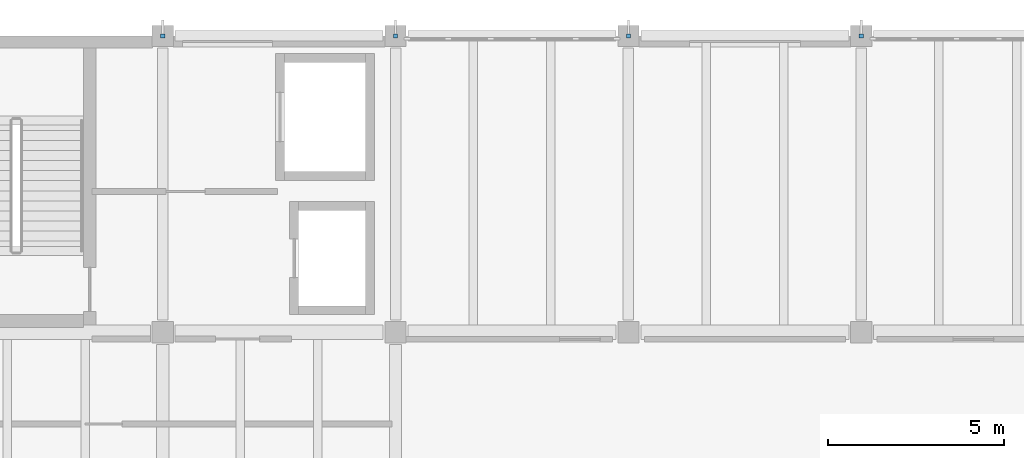
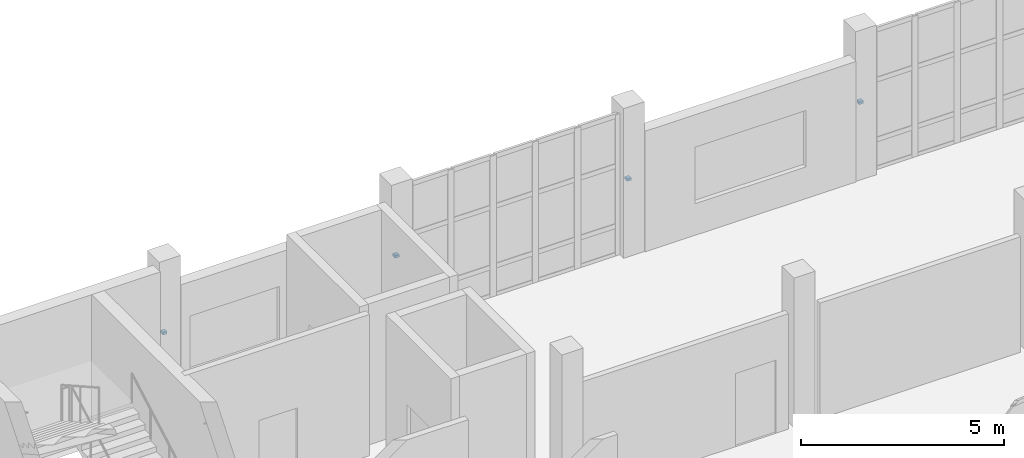
# One storey, part 60 of 76: 4 discrete accessories.
"""IFC4 building model written with IfcOpenShell, lengths in metres."""

from ifc_helpers import new_model, si_unit, direction, frame, origin, origin_2d, place, context, subcontext, project, spatial, rectangle, extrude, material, layer, layer_set, type_object, element, save


model = new_model("IFC4")

# Units and contexts
model_context = context("Model", 3, precision=1e-05, world=origin(), true_north=direction((0.0, 1.0)))
body_context = subcontext(model_context, "Body", "Model", "MODEL_VIEW")
ifc_project = project(units=[si_unit("LENGTHUNIT", "METRE"), si_unit("AREAUNIT", "SQUARE_METRE"), si_unit("VOLUMEUNIT", "CUBIC_METRE"), si_unit("PLANEANGLEUNIT", "RADIAN"), si_unit("MASSUNIT", "GRAM", prefix="KILO")], contexts=[model_context])

# Site, building, storey
site_placement = place(None, origin())
site = spatial("IfcSite", under=ifc_project, at=site_placement, CompositionType="ELEMENT")
building_placement = place(site_placement, origin())
building = spatial("IfcBuilding", under=site, at=building_placement, Name="Qaldarim Faculty of Natural and Applied Sciences", CompositionType="ELEMENT")
storey_placement = place(building_placement, frame((0.0, 0.0, 9.89990234375)))
storey = spatial("IfcBuildingStorey", under=building, at=storey_placement, Name="L02", CompositionType="ELEMENT", Elevation=9.89990234375)

# Discrete accessories
ifc_material = material(Name="Architectural stainless steel 316", Category="steel")
ifc_layer = layer(ifc_material, 0.080078125)
ifc_layer_set = layer_set([ifc_layer], Name="Architectural stainless steel 316")
discrete_accessory_type = type_object("IfcDiscreteAccessoryType", Name="FacadeBracket-SS120", PredefinedType="BRACKET", material=ifc_layer_set)
for number, where, z_axis, x_axis, name in (
    (1, (105.60009765625, 117.60009765625, 2.080078125), (0.0, 0.0, 1.0), (1.0, 0.0, 0.0), "North fin bracket FIN-V4N-L02-X17"),
    (2, (112.199951171875, 117.60009765625, 2.080078125), (0.0, 0.0, 1.0), (1.0, 0.0, 0.0), "North fin bracket FIN-V4N-L02-X18"),
    (3, (118.800048828125, 117.60009765625, 2.080078125), (0.0, 0.0, 1.0), (1.0, 0.0, 0.0), "North fin bracket FIN-V4N-L02-X19"),
    (4, (125.39990234375, 117.60009765625, 2.080078125), (0.0, 0.0, 1.0), (1.0, 0.0, 0.0), "North fin bracket FIN-V4N-L02-X20"),
):
    element("IfcDiscreteAccessory", number, at=place(storey_placement, frame(where, z_axis=z_axis, x_axis=x_axis)), inside=storey, type_object=discrete_accessory_type, Name=name, PredefinedType="BRACKET", context=body_context, shape_type="SweptSolid", body=[
        extrude(rectangle(XDim=0.1201171875, YDim=0.1201171875, at=origin_2d()), origin(), (0.0, 0.0, 1.0), 0.080078125),
    ])

save(model, "model.ifc")
